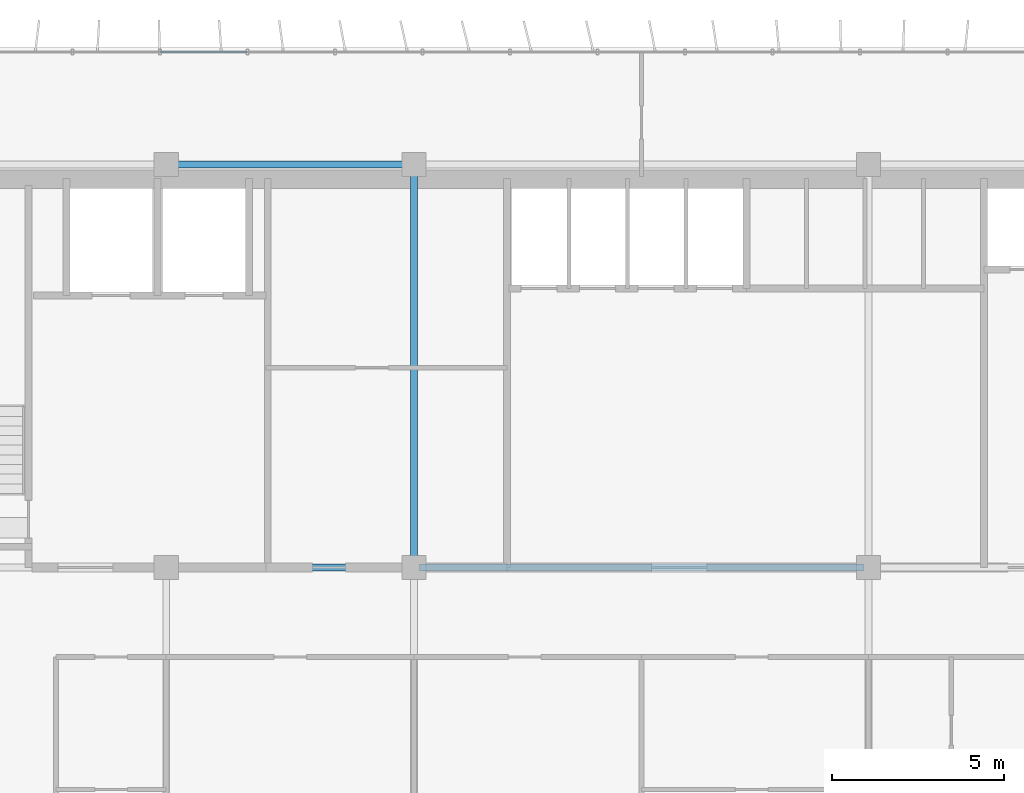
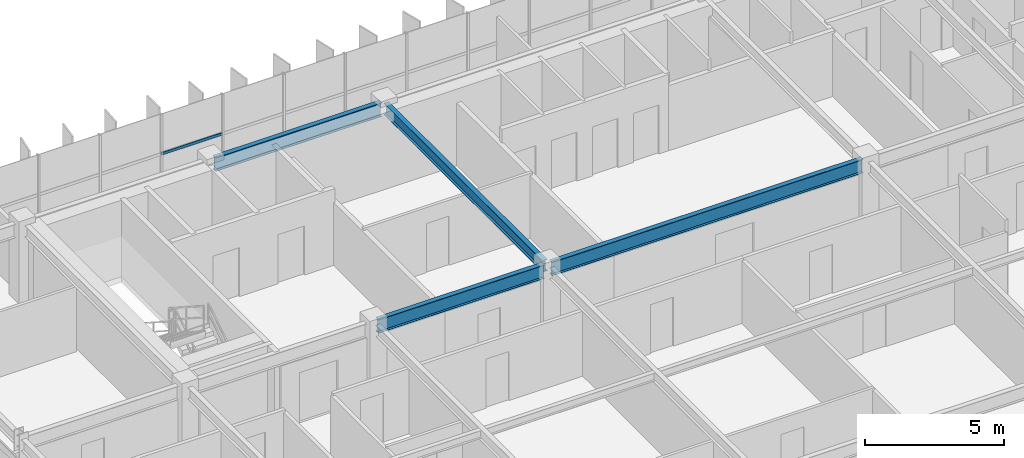
# One storey, part 5 of 20: 4 beams, 1 member, 1 element without a shape of its own.
"""IFC4 building model written with IfcOpenShell, lengths in metres."""

from ifc_helpers import new_model, si_unit, direction, frame, origin, origin_2d, place, context, subcontext, project, spatial, hollow_rectangle, i_section, extrude, source, transform, mapped, material, material_profile, profile_set, type_object, element, aggregate, save


model = new_model("IFC4")

# Units and contexts
model_context = context("Model", 3, precision=1e-05, world=origin(), true_north=direction((0.0, 1.0)))
body_context = subcontext(model_context, "Body", "Model", "MODEL_VIEW")
ifc_project = project(units=[si_unit("LENGTHUNIT", "METRE"), si_unit("AREAUNIT", "SQUARE_METRE"), si_unit("VOLUMEUNIT", "CUBIC_METRE"), si_unit("PLANEANGLEUNIT", "RADIAN"), si_unit("MASSUNIT", "GRAM", prefix="KILO")], contexts=[model_context])

# Site, building, storey
site_placement = place(None, origin())
site = spatial("IfcSite", under=ifc_project, at=site_placement, CompositionType="ELEMENT")
building_placement = place(site_placement, origin())
building = spatial("IfcBuilding", under=site, at=building_placement, Name="Trelvane Seafront Commons", CompositionType="ELEMENT")
storey_placement = place(building_placement, frame((0.0, 0.0, 164.5)))
storey = spatial("IfcBuildingStorey", under=building, at=storey_placement, Name="L43", CompositionType="ELEMENT", Elevation=164.5)

# Beams
ifc_material_1 = material(Name="Steel SM355 (S355)", Category="steel")
ifc_material_profile_1 = material_profile(ifc_material_1, i_section(OverallWidth=0.199951171875, OverallDepth=0.5, WebThickness=0.010009765625, FlangeThickness=0.01611328125, at=origin_2d()), Name="H-500x200x10x16")
ifc_profile_set_1 = profile_set([ifc_material_profile_1], Name="Steel SM355 (S355)")
beam_type_1 = type_object("IfcBeamType", Name="STR-BM-H500", PredefinedType="BEAM", material=ifc_profile_set_1)
shared_shape_1 = source(origin(), body_context, "Body", "SweptSolid", [
    extrude(i_section(OverallWidth=0.199951171875, OverallDepth=0.5, WebThickness=0.010009765625, FlangeThickness=0.01611328125, at=origin_2d()), origin(), (0.0, 0.0, 1.0), 11.39990234375),
])
beam_1_placement = place(storey_placement, frame((30.60009765625, 33.550048828125, 3.10009765625), z_axis=(0.0, 1.0, 0.0), x_axis=(-1.0, 0.0, 0.0)))
element("IfcBeam", 1, at=beam_1_placement, inside=storey, type_object=beam_type_1, Name="L43 Primary Girder G-40", PredefinedType="BEAM", context=body_context, shape_type="MappedRepresentation", body=[
    mapped(shared_shape_1, transform((0.0, 0.0, 0.0), x_axis=(1.0, 0.0, 0.0), y_axis=(0.0, 1.0, 0.0), z_axis=(0.0, 0.0, 1.0), scale=1.0)),
])
ifc_material_profile_2 = material_profile(ifc_material_1, i_section(OverallWidth=0.199951171875, OverallDepth=0.60009765625, WebThickness=0.010986328125, FlangeThickness=0.01708984375, at=origin_2d()), Name="H-600x200x11x17")
ifc_profile_set_2 = profile_set([ifc_material_profile_2], Name="Steel SM355 (S355)")
beam_type_2 = type_object("IfcBeamType", Name="STR-SPD-H600", PredefinedType="SPANDREL", material=ifc_profile_set_2)
shared_shape_2 = source(origin(), body_context, "Body", "SweptSolid", [
    extrude(i_section(OverallWidth=0.199951171875, OverallDepth=0.60009765625, WebThickness=0.010986328125, FlangeThickness=0.01708984375, at=origin_2d()), origin(), (0.0, 0.0, 1.0), 12.89990234375),
])
beam_2_placement = place(storey_placement, frame((30.75, 33.39990234375, 3.050048828125), z_axis=(1.0, 0.0, 0.0), x_axis=(0.0, 1.0, 0.0)))
element("IfcBeam", 2, at=beam_2_placement, inside=storey, type_object=beam_type_2, Name="L43 Primary Girder G-18", PredefinedType="SPANDREL", context=body_context, shape_type="MappedRepresentation", body=[
    mapped(shared_shape_2, transform((0.0, 0.0, 0.0), x_axis=(1.0, 0.0, 0.0), y_axis=(0.0, 1.0, 0.0), z_axis=(0.0, 0.0, 1.0), scale=1.0)),
])
shared_shape_3 = source(origin(), body_context, "Body", "SweptSolid", [
    extrude(i_section(OverallWidth=0.199951171875, OverallDepth=0.60009765625, WebThickness=0.010986328125, FlangeThickness=0.01708984375, at=origin_2d()), origin(), (0.0, 0.0, 1.0), 6.89990234375),
])
for number, where, z_axis, x_axis, name in (
    (3, (23.550048828125, 33.39990234375, 3.050048828125), (1.0, 0.0, 0.0), (0.0, 1.0, 0.0), "L43 Primary Girder G-17"),
    (4, (23.550048828125, 45.10009765625, 3.050048828125), (1.0, 0.0, 0.0), (0.0, 1.0, 0.0), "L43 Primary Girder G-24"),
):
    element("IfcBeam", number, at=place(storey_placement, frame(where, z_axis=z_axis, x_axis=x_axis)), inside=storey, type_object=beam_type_2, Name=name, PredefinedType="SPANDREL", context=body_context, shape_type="MappedRepresentation", body=[
        mapped(shared_shape_3, transform((0.0, 0.0, 0.0), x_axis=(1.0, 0.0, 0.0), y_axis=(0.0, 1.0, 0.0), z_axis=(0.0, 0.0, 1.0), scale=1.0)),
    ])

# Curtain wall, member
ifc_material_2 = material(Name="Anodised pale-silver aluminium", Category="aluminium")
curtain_wall_type = type_object("IfcCurtainWallType", Name="ARCH-CW5-UPTOWER", PredefinedType="NOTDEFINED", material=ifc_material_2)
curtain_wall_placement = place(storey_placement, origin())
curtain_wall = element("IfcCurtainWall", 5, at=curtain_wall_placement, inside=storey, type_object=curtain_wall_type, Name="CW-L43-0070", PredefinedType="NOTDEFINED")
ifc_material_profile_3 = material_profile(ifc_material_2, hollow_rectangle(XDim=0.070068359375, YDim=0.1201171875, WallThickness=0.00390625, at=origin_2d()), Name="TRAN-70x120x4")
ifc_profile_set_3 = profile_set([ifc_material_profile_3], Name="Anodised pale-silver aluminium")
member_type = type_object("IfcMemberType", Name="ARCH-CW-TRAN-120", PredefinedType="USERDEFINED", material=ifc_profile_set_3)
shared_shape_4 = source(origin(), body_context, "Body", "SweptSolid", [
    extrude(hollow_rectangle(XDim=0.070068359375, YDim=0.1201171875, WallThickness=0.00390625, at=origin_2d()), origin(), (0.0, 0.0, 1.0), 2.51708984375),
])
member_placement = place(storey_placement, frame((23.235595703125, 48.3701171875, 1.60791015625), z_axis=(1.0, 0.0, 0.0), x_axis=(0.0, 1.0, 0.0)))
member = element("IfcMember", 6, at=member_placement, type_object=member_type, Name="CW-L43-0070-T03", ObjectType="TRANSOM", PredefinedType="USERDEFINED", context=body_context, shape_type="MappedRepresentation", body=[
    mapped(shared_shape_4, transform((0.0, 0.0, 0.0), x_axis=(1.0, 0.0, 0.0), y_axis=(0.0, 1.0, 0.0), z_axis=(0.0, 0.0, 1.0), scale=1.0)),
])
aggregate(curtain_wall, [member])

save(model, "model.ifc")
